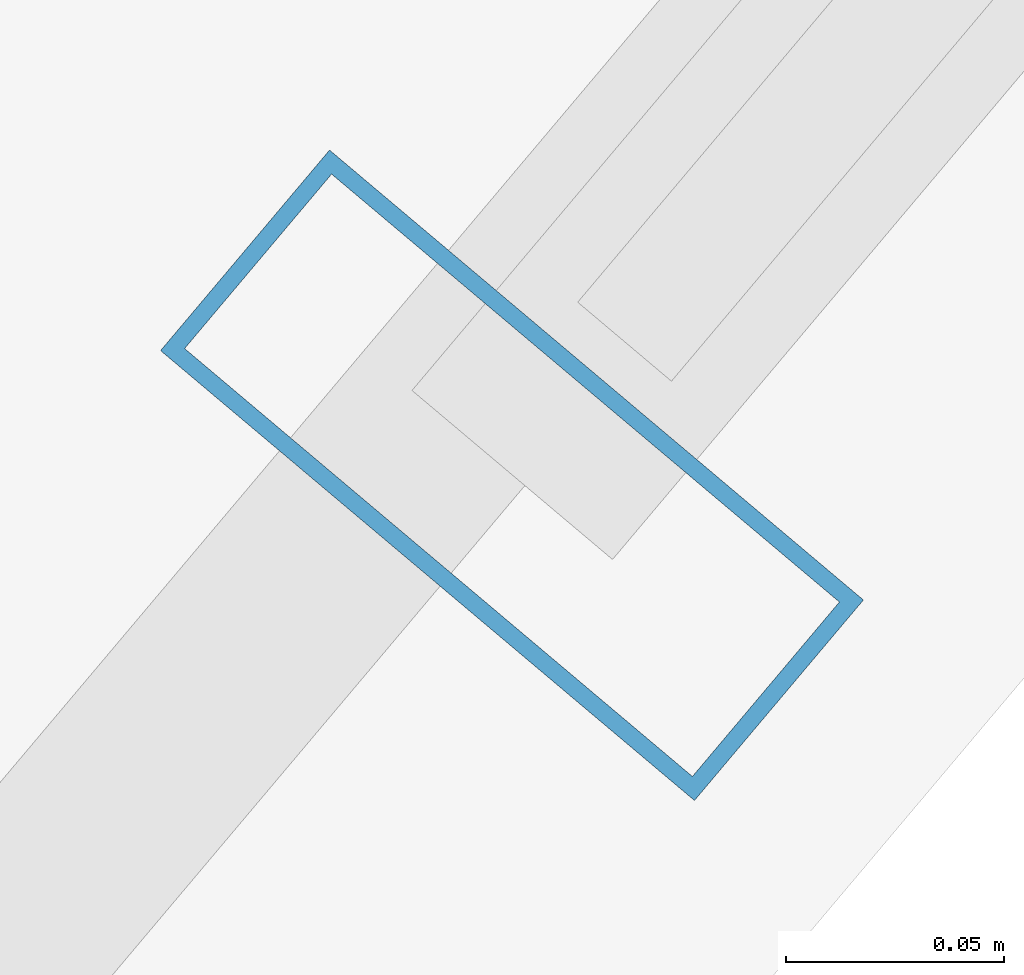
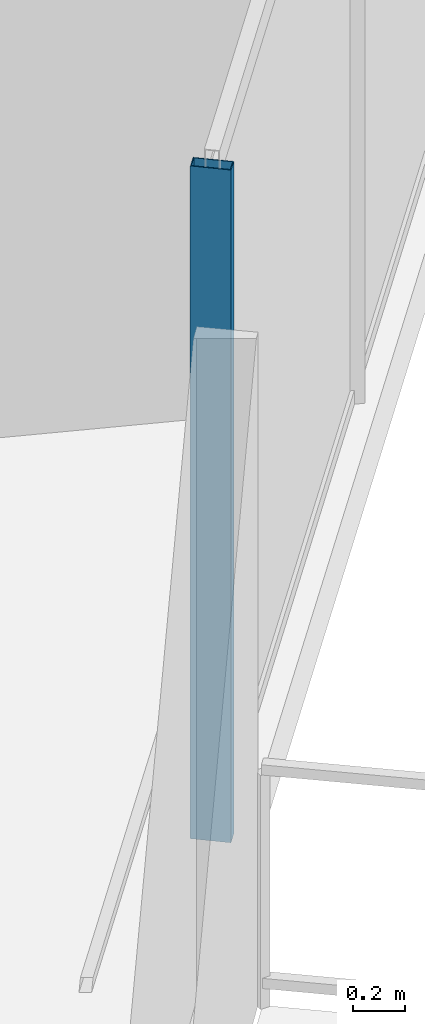
# One storey, part 10 of 31: 1 member, 1 element without a shape of its own.
"""IFC4 building model written with IfcOpenShell, lengths in metres."""

from ifc_helpers import new_model, si_unit, direction, frame, origin, origin_2d, place, context, subcontext, project, spatial, hollow_rectangle, extrude, material, layer, layer_set, material_profile, profile_set, type_object, element, aggregate, save


model = new_model("IFC4")

# Units and contexts
model_context = context("Model", 3, precision=1e-05, world=origin(), true_north=direction((0.0, 1.0)))
body_context = subcontext(model_context, "Body", "Model", "MODEL_VIEW")
ifc_project = project(units=[si_unit("LENGTHUNIT", "METRE"), si_unit("AREAUNIT", "SQUARE_METRE"), si_unit("VOLUMEUNIT", "CUBIC_METRE"), si_unit("PLANEANGLEUNIT", "RADIAN"), si_unit("MASSUNIT", "GRAM", prefix="KILO")], contexts=[model_context])

# Site, building, storey
site_placement = place(None, origin())
site = spatial("IfcSite", under=ifc_project, at=site_placement, CompositionType="ELEMENT")
building_placement = place(site_placement, origin())
building = spatial("IfcBuilding", under=site, at=building_placement, Name="Qarnah Convention Tower", CompositionType="ELEMENT")
storey_placement = place(building_placement, frame((0.0, 0.0, 33.89990234375)))
storey = spatial("IfcBuildingStorey", under=building, at=storey_placement, Name="L07", CompositionType="ELEMENT", Elevation=33.89990234375)

# Curtain wall, member
ifc_material_1 = material(Name="Tempered Low-E dark glass", Category="glass")
ifc_layer = layer(ifc_material_1, 0.16796875)
ifc_layer_set = layer_set([ifc_layer], Name="Tempered Low-E dark glass")
curtain_wall_type = type_object("IfcCurtainWallType", Name="CWS-01", PredefinedType="NOTDEFINED", material=ifc_layer_set)
curtain_wall_placement = place(storey_placement, origin())
curtain_wall = element("IfcCurtainWall", 1, at=curtain_wall_placement, inside=storey, type_object=curtain_wall_type, Name="L07 unitised curtain wall CW-L07-F3", PredefinedType="NOTDEFINED")
ifc_material_2 = material(Name="Black anodised aluminium", Category="aluminium")
ifc_material_profile = material_profile(ifc_material_2, hollow_rectangle(XDim=0.06005859375, YDim=0.159912109375, WallThickness=0.00390625, at=origin_2d()), Name="MUL-60X160")
ifc_profile_set = profile_set([ifc_material_profile], Name="Black anodised aluminium")
member_type = type_object("IfcMemberType", Name="MUL-T1", PredefinedType="MULLION", material=ifc_profile_set)
member_placement = place(storey_placement, frame((55.3740234375, 16.657958984375, 0.0), z_axis=(0.0, 0.0, 1.0), x_axis=(-0.644401208836, -0.764687571529, 0.0)))
member = element("IfcMember", 2, at=member_placement, type_object=member_type, Name="CW-L07-F3 mullion 4", PredefinedType="MULLION", context=body_context, shape_type="SweptSolid", body=[
    extrude(hollow_rectangle(XDim=0.06005859375, YDim=0.159912109375, WallThickness=0.00390625, at=origin_2d()), origin(), (0.0, 0.0, 1.0), 3.170166015625),
])
aggregate(curtain_wall, [member])

save(model, "model.ifc")
